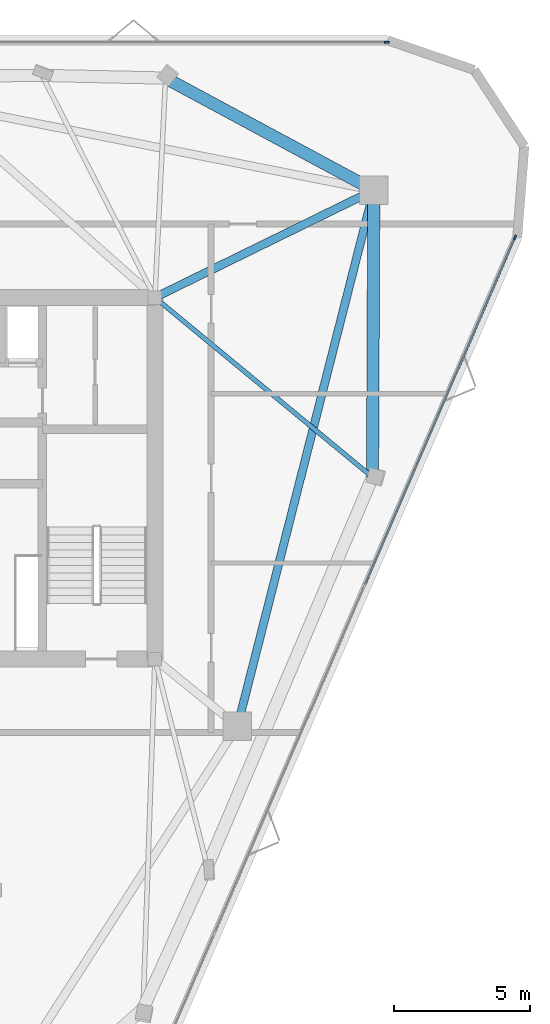
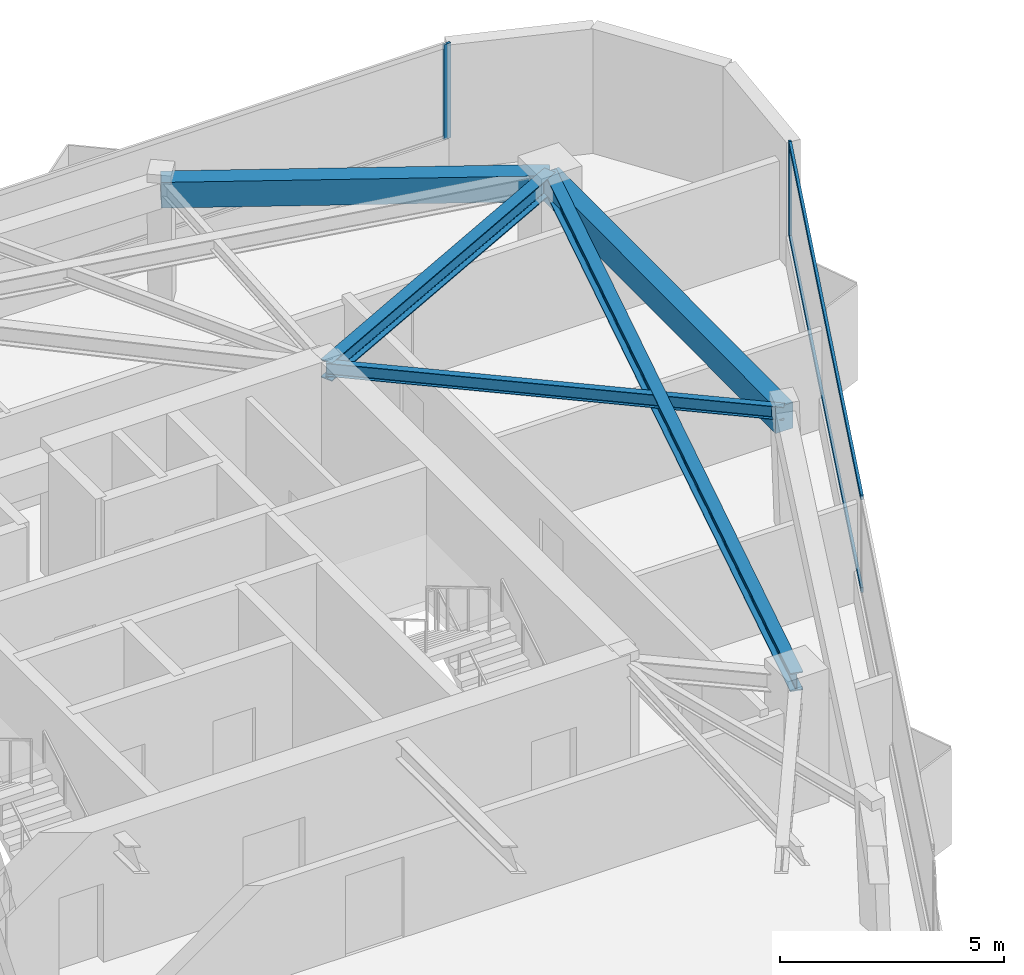
# One storey, part 6 of 10: 5 beams, 4 members, 2 elements without a shape of their own.
"""IFC4 building model written with IfcOpenShell, lengths in metres."""

from ifc_helpers import new_model, si_unit, direction, frame, origin, origin_2d, place, context, subcontext, project, spatial, rectangle, i_section, extrude, material, layer, layer_set, material_profile, profile_set, type_object, element, aggregate, save


model = new_model("IFC4")

# Units and contexts
model_context = context("Model", 3, precision=1e-05, world=origin(), true_north=direction((0.0, 1.0)))
body_context = subcontext(model_context, "Body", "Model", "MODEL_VIEW")
ifc_project = project(units=[si_unit("LENGTHUNIT", "METRE"), si_unit("AREAUNIT", "SQUARE_METRE"), si_unit("VOLUMEUNIT", "CUBIC_METRE"), si_unit("PLANEANGLEUNIT", "RADIAN"), si_unit("MASSUNIT", "GRAM", prefix="KILO")], contexts=[model_context])

# Site, building, storey
site_placement = place(None, origin())
site = spatial("IfcSite", under=ifc_project, at=site_placement, CompositionType="ELEMENT")
building_placement = place(site_placement, origin())
building = spatial("IfcBuilding", under=site, at=building_placement, Name="Talyreon Biosciences Tower", CompositionType="ELEMENT")
storey_placement = place(building_placement, frame((0.0, 0.0, 287.449951171875)))
storey = spatial("IfcBuildingStorey", under=building, at=storey_placement, Name="L76", CompositionType="ELEMENT", Elevation=287.449951171875)

# Curtain wall, member
ifc_material_1 = material(Name="Thermally broken aluminium and low-E glazing", Category="aluminium")
ifc_layer = layer(ifc_material_1, 0.175048828125)
ifc_layer_set = layer_set([ifc_layer], Name="Thermally broken aluminium and low-E glazing")
curtain_wall_type = type_object("IfcCurtainWallType", Name="CurtainWall_Zone5CompLab", PredefinedType="NOTDEFINED", material=ifc_layer_set)
curtain_wall_1_placement = place(storey_placement, origin())
curtain_wall_1 = element("IfcCurtainWall", 1, at=curtain_wall_1_placement, inside=storey, type_object=curtain_wall_type, Name="L76 Unitised Curtain Wall FCW-L76-04", PredefinedType="NOTDEFINED")
ifc_material_2 = material(Name="Anodised thermally broken aluminium", Category="aluminium")
ifc_material_profile_1 = material_profile(ifc_material_2, rectangle(XDim=0.06494140625, YDim=0.179931640625, at=origin_2d()), Name="ALUM MULLION 65x180")
ifc_profile_set_1 = profile_set([ifc_material_profile_1], Name="Anodised thermally broken aluminium")
member_type_1 = type_object("IfcMemberType", Name="CWMullion_65x180", PredefinedType="MULLION", material=ifc_profile_set_1)
member_1_placement = place(storey_placement, frame((82.5751953125, 84.037109375, 0.81005859375), z_axis=(0.0, 0.0, 1.0), x_axis=(0.0, 1.0, 0.0)))
member_1 = element("IfcMember", 2, at=member_1_placement, type_object=member_type_1, Name="CW6 mullion 3", PredefinedType="MULLION", context=body_context, shape_type="SweptSolid", body=[
    extrude(rectangle(XDim=0.06494140625, YDim=0.179931640625, at=origin_2d()), origin(), (0.0, 0.0, 1.0), 2.590087890625),
])
aggregate(curtain_wall_1, [member_1])

# Curtain wall, members
curtain_wall_2_placement = place(storey_placement, origin())
curtain_wall_2 = element("IfcCurtainWall", 3, at=curtain_wall_2_placement, inside=storey, type_object=curtain_wall_type, Name="L76 Unitised Curtain Wall FCW-L76-08", PredefinedType="NOTDEFINED")
member_2_placement = place(storey_placement, frame((87.295166015625, 76.857177734375, 0.81005859375), z_axis=(0.0, 0.0, 1.0), x_axis=(0.918022435016, -0.396528446404, 0.0)))
member_2 = element("IfcMember", 4, at=member_2_placement, type_object=member_type_1, Name="CW6 mullion 1", PredefinedType="MULLION", context=body_context, shape_type="SweptSolid", body=[
    extrude(rectangle(XDim=0.06494140625, YDim=0.179931640625, at=origin_2d()), origin(), (0.0, 0.0, 1.0), 2.590087890625),
])
ifc_material_profile_2 = material_profile(ifc_material_2, rectangle(XDim=0.06494140625, YDim=0.139892578125, at=origin_2d()), Name="ALUM TRANSOM 65x140")
ifc_profile_set_2 = profile_set([ifc_material_profile_2], Name="Anodised thermally broken aluminium")
member_type_2 = type_object("IfcMemberType", Name="CWTransom_65x140", PredefinedType="USERDEFINED", material=ifc_profile_set_2)
member_3_placement = place(storey_placement, frame((87.2822265625, 76.827392578125, 0.842529296875), z_axis=(-0.396529792405, -0.918021853626, 0.0), x_axis=(0.918021853626, -0.396529792405, 0.0)))
member_3 = element("IfcMember", 5, at=member_3_placement, type_object=member_type_2, Name="CW6 transom 1.1", ObjectType="TRANSOM", PredefinedType="USERDEFINED", context=body_context, shape_type="SweptSolid", body=[
    extrude(rectangle(XDim=0.06494140625, YDim=0.139892578125, at=origin_2d()), origin(), (0.0, 0.0, 1.0), 13.863525390625),
])
member_4_placement = place(storey_placement, frame((87.2822265625, 76.827392578125, 3.367431640625), z_axis=(-0.396529792405, -0.918021853626, 0.0), x_axis=(0.918021853626, -0.396529792405, 0.0)))
member_4 = element("IfcMember", 6, at=member_4_placement, type_object=member_type_2, Name="CW6 transom 1.2", ObjectType="TRANSOM", PredefinedType="USERDEFINED", context=body_context, shape_type="SweptSolid", body=[
    extrude(rectangle(XDim=0.06494140625, YDim=0.139892578125, at=origin_2d()), origin(), (0.0, 0.0, 1.0), 13.863525390625),
])
aggregate(curtain_wall_2, [member_2, member_3, member_4])

# Beams
ifc_material_3 = material(Name="Precast concrete C45/55", Category="concrete")
ifc_material_profile_3 = material_profile(ifc_material_3, rectangle(XDim=0.449951171875, YDim=0.699951171875, at=origin_2d()), Name="RCB 450x700")
ifc_profile_set_3 = profile_set([ifc_material_profile_3], Name="Precast concrete C45/55")
beam_type_1 = type_object("IfcBeamType", Name="ExpressedSpandrel_450x700", PredefinedType="SPANDREL", material=ifc_profile_set_3)
beam_1_placement = place(storey_placement, frame((82.053955078125, 68.04248046875, 3.050048828125), z_axis=(0.004579257227, 0.999989515147, 0.0), x_axis=(-0.999989515147, 0.004579257227, 0.0)))
element("IfcBeam", 7, at=beam_1_placement, inside=storey, type_object=beam_type_1, Name="L76 Expressed Horizontal Concrete Spandrel 04", PredefinedType="SPANDREL", context=body_context, shape_type="SweptSolid", body=[
    extrude(rectangle(XDim=0.449951171875, YDim=0.699951171875, at=origin_2d()), origin(), (0.0, 0.0, 1.0), 10.55615234375),
])
beam_2_placement = place(storey_placement, frame((82.102294921875, 78.5986328125, 3.050048828125), z_axis=(-0.880560273835, 0.473934177015, 0.0), x_axis=(-0.473934177015, -0.880560273835, 0.0)))
element("IfcBeam", 8, at=beam_2_placement, inside=storey, type_object=beam_type_1, Name="L76 Expressed Horizontal Concrete Spandrel 05", PredefinedType="SPANDREL", context=body_context, shape_type="SweptSolid", body=[
    extrude(rectangle(XDim=0.449951171875, YDim=0.699951171875, at=origin_2d()), origin(), (0.0, 0.0, 1.0), 8.70166015625),
])
ifc_material_4 = material(Name="Steel SM355", Category="steel")
ifc_material_profile_4 = material_profile(ifc_material_4, i_section(OverallWidth=0.300048828125, OverallDepth=0.5, WebThickness=0.014404296875, FlangeThickness=0.028076171875, FilletRadius=0.027099609375, at=origin_2d()), Name="HE500B")
ifc_profile_set_4 = profile_set([ifc_material_profile_4], Name="Steel SM355")
beam_type_2 = type_object("IfcBeamType", Name="SteelBeam_HE500B", PredefinedType="BEAM", material=ifc_profile_set_4)
beam_3_placement = place(storey_placement, frame((77.086181640625, 58.88037109375, 3.150146484375), z_axis=(0.246537082299, 0.969133358755, 0.0), x_axis=(-0.969133358755, 0.246537082299, 0.0)))
element("IfcBeam", 9, at=beam_3_placement, inside=storey, type_object=beam_type_2, Name="L76 Mega-Ring Girder 2", PredefinedType="BEAM", context=body_context, shape_type="SweptSolid", body=[
    extrude(i_section(OverallWidth=0.300048828125, OverallDepth=0.5, WebThickness=0.014404296875, FlangeThickness=0.028076171875, FilletRadius=0.027099609375, at=origin_2d()), origin(), (0.0, 0.0, 1.0), 20.34619140625),
])
beam_4_placement = place(storey_placement, frame((74.050048828125, 74.64990234375, 3.150146484375), z_axis=(0.897852360314, 0.440296648952, 0.0), x_axis=(-0.440296648952, 0.897852360314, 0.0)))
element("IfcBeam", 10, at=beam_4_placement, inside=storey, type_object=beam_type_2, Name="L76 Radial Primary Girder 3", PredefinedType="BEAM", context=body_context, shape_type="SweptSolid", body=[
    extrude(i_section(OverallWidth=0.300048828125, OverallDepth=0.5, WebThickness=0.014404296875, FlangeThickness=0.028076171875, FilletRadius=0.027099609375, at=origin_2d()), origin(), (0.0, 0.0, 1.0), 8.96826171875),
])
ifc_material_profile_5 = material_profile(ifc_material_4, i_section(OverallWidth=0.169921875, OverallDepth=0.360107421875, WebThickness=0.008056640625, FlangeThickness=0.0126953125, FilletRadius=0.01806640625, at=origin_2d()), Name="IPE360")
ifc_profile_set_5 = profile_set([ifc_material_profile_5], Name="Steel SM355")
beam_type_3 = type_object("IfcBeamType", Name="SteelJoist_IPE360", PredefinedType="JOIST", material=ifc_profile_set_5)
beam_5_placement = place(storey_placement, frame((74.050048828125, 74.64990234375, 3.219970703125), z_axis=(0.771174630398, -0.636623663894, 0.0), x_axis=(0.636623663894, 0.771174630398, 0.0)))
element("IfcBeam", 11, at=beam_5_placement, inside=storey, type_object=beam_type_3, Name="L76 Radial Composite Floor Joist PC-SE2", PredefinedType="JOIST", context=body_context, shape_type="SweptSolid", body=[
    extrude(i_section(OverallWidth=0.169921875, OverallDepth=0.360107421875, WebThickness=0.008056640625, FlangeThickness=0.0126953125, FilletRadius=0.01806640625, at=origin_2d()), origin(), (0.0, 0.0, 1.0), 10.37890625),
])

save(model, "model.ifc")
